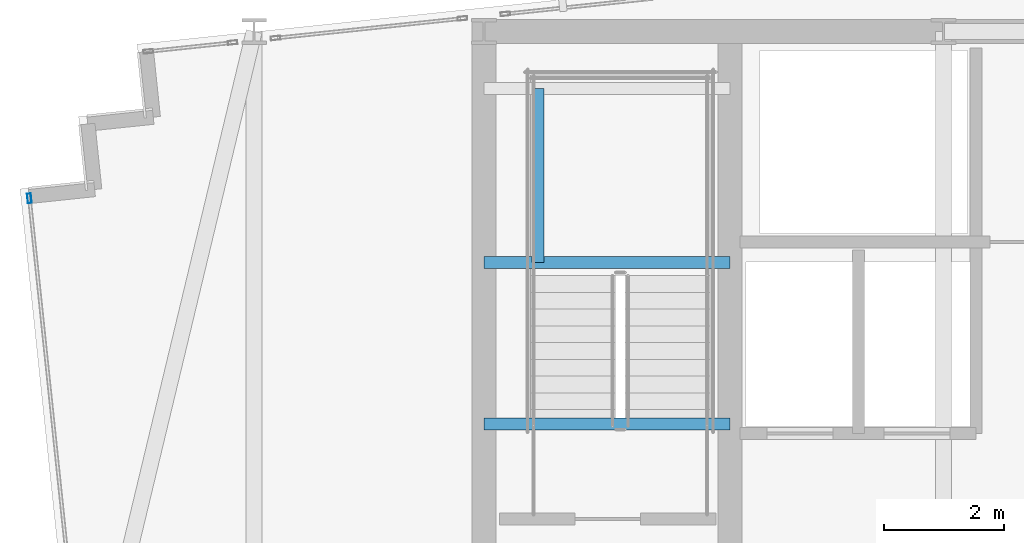
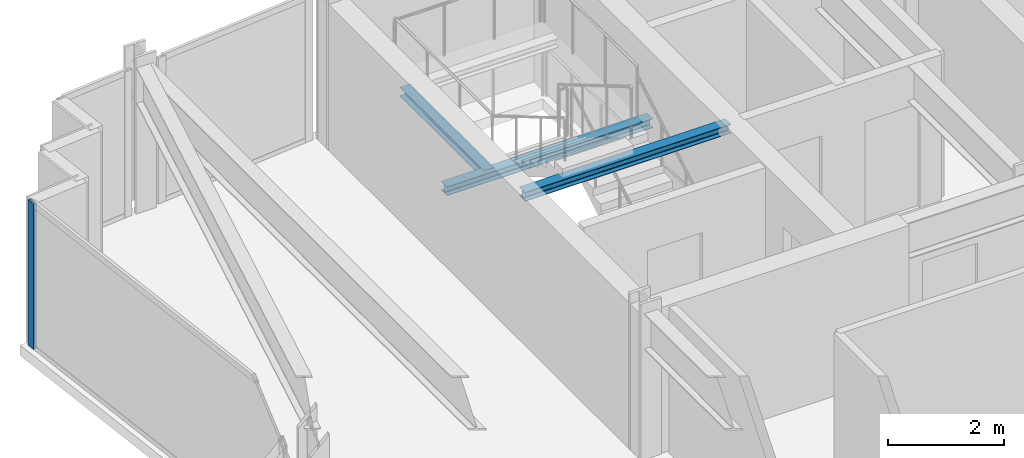
# One storey, part 12 of 33: 3 beams, 1 member, 1 element without a shape of its own.
"""IFC4 building model written with IfcOpenShell, lengths in metres."""

from ifc_helpers import new_model, si_unit, direction, frame, origin, origin_2d, place, context, subcontext, project, spatial, hollow_rectangle, i_section, extrude, material, material_profile, profile_set, type_object, element, aggregate, save


model = new_model("IFC4")

# Units and contexts
model_context = context("Model", 3, precision=1e-05, world=origin(), true_north=direction((0.0, 1.0)))
body_context = subcontext(model_context, "Body", "Model", "MODEL_VIEW")
ifc_project = project(units=[si_unit("LENGTHUNIT", "METRE"), si_unit("AREAUNIT", "SQUARE_METRE"), si_unit("VOLUMEUNIT", "CUBIC_METRE"), si_unit("PLANEANGLEUNIT", "RADIAN"), si_unit("MASSUNIT", "GRAM", prefix="KILO")], contexts=[model_context])

# Site, building, storey
site_placement = place(None, origin())
site = spatial("IfcSite", under=ifc_project, at=site_placement, CompositionType="ELEMENT")
building_placement = place(site_placement, origin())
building = spatial("IfcBuilding", under=site, at=building_placement, Name="Yelkora Congress Tower", CompositionType="ELEMENT")
storey_placement = place(building_placement, frame((0.0, 0.0, 234.199951171875)))
storey = spatial("IfcBuildingStorey", under=building, at=storey_placement, Name="L65", CompositionType="ELEMENT", Elevation=234.199951171875)

# Beams
ifc_material_1 = material(Name="Steel S355J2", Category="steel")
ifc_material_profile_1 = material_profile(ifc_material_1, i_section(OverallWidth=0.199951171875, OverallDepth=0.18994140625, WebThickness=0.006591796875, FlangeThickness=0.010009765625, FilletRadius=0.01806640625, at=origin_2d()), Name="HEA 200")
ifc_profile_set_1 = profile_set([ifc_material_profile_1], Name="Steel S355J2")
beam_type = type_object("IfcBeamType", Name="BM-LAND-HEA200", PredefinedType="BEAM", material=ifc_profile_set_1)
beam_1_placement = place(storey_placement, frame((23.0400390625, 42.340087890625, 1.334716796875), z_axis=(1.0, 0.0, 0.0), x_axis=(0.0, 1.0, 0.0)))
element("IfcBeam", 1, at=beam_1_placement, inside=storey, type_object=beam_type, Name="ST-01 L65 Landing Header Beam 1S", PredefinedType="BEAM", context=body_context, shape_type="SweptSolid", body=[
    extrude(i_section(OverallWidth=0.199951171875, OverallDepth=0.18994140625, WebThickness=0.006591796875, FlangeThickness=0.010009765625, FilletRadius=0.01806640625, at=origin_2d()), origin(), (0.0, 0.0, 1.0), 4.10986328125),
])
beam_2_placement = place(storey_placement, frame((23.93994140625, 42.340087890625, 1.334716796875), z_axis=(0.0, 1.0, 0.0), x_axis=(-1.0, 0.0, 0.0)))
element("IfcBeam", 2, at=beam_2_placement, inside=storey, type_object=beam_type, Name="ST-01 L65 Landing Trimmer Beam 1M", PredefinedType="BEAM", context=body_context, shape_type="SweptSolid", body=[
    extrude(i_section(OverallWidth=0.199951171875, OverallDepth=0.18994140625, WebThickness=0.006591796875, FlangeThickness=0.010009765625, FilletRadius=0.01806640625, at=origin_2d()), origin(), (0.0, 0.0, 1.0), 2.909912109375),
])
beam_3_placement = place(storey_placement, frame((23.0400390625, 39.639892578125, 2.85400390625), z_axis=(1.0, 0.0, 0.0), x_axis=(0.0, 1.0, 0.0)))
element("IfcBeam", 3, at=beam_3_placement, inside=storey, type_object=beam_type, Name="ST-01 L65 Floor Arrival Stringer Header Beam", PredefinedType="BEAM", context=body_context, shape_type="SweptSolid", body=[
    extrude(i_section(OverallWidth=0.199951171875, OverallDepth=0.18994140625, WebThickness=0.006591796875, FlangeThickness=0.010009765625, FilletRadius=0.01806640625, at=origin_2d()), origin(), (0.0, 0.0, 1.0), 4.10986328125),
])

# Curtain wall, member
ifc_material_2 = material(Name="Anodised aluminium and insulated glass", Category="aluminium")
curtain_wall_type = type_object("IfcCurtainWallType", Name="CW-SYS-B4", PredefinedType="NOTDEFINED", material=ifc_material_2)
curtain_wall_placement = place(storey_placement, origin())
curtain_wall = element("IfcCurtainWall", 4, at=curtain_wall_placement, inside=storey, type_object=curtain_wall_type, Name="L65 Unitised Curtain Wall 5", PredefinedType="NOTDEFINED")
ifc_material_3 = material(Name="Anodised aluminium 6063-T6", Category="aluminium")
ifc_material_profile_2 = material_profile(ifc_material_3, hollow_rectangle(XDim=0.06494140625, YDim=0.159912109375, WallThickness=0.00390625, at=origin_2d()), Name="ALU 65x160x4")
ifc_profile_set_2 = profile_set([ifc_material_profile_2], Name="Anodised aluminium 6063-T6")
member_type = type_object("IfcMemberType", Name="MEM-ML-B4", PredefinedType="MULLION", material=ifc_profile_set_2)
member_placement = place(storey_placement, frame((15.444580078125, 43.412353515625, 0.0), z_axis=(0.0, 0.0, 1.0), x_axis=(-0.994522145958, -0.104526079034, 0.0)))
member = element("IfcMember", 5, at=member_placement, type_object=member_type, Name="CW-B4 mullion 5", PredefinedType="MULLION", context=body_context, shape_type="SweptSolid", body=[
    extrude(hollow_rectangle(XDim=0.06494140625, YDim=0.159912109375, WallThickness=0.00390625, at=origin_2d()), origin(), (0.0, 0.0, 1.0), 3.080078125),
])
aggregate(curtain_wall, [member])

save(model, "model.ifc")
